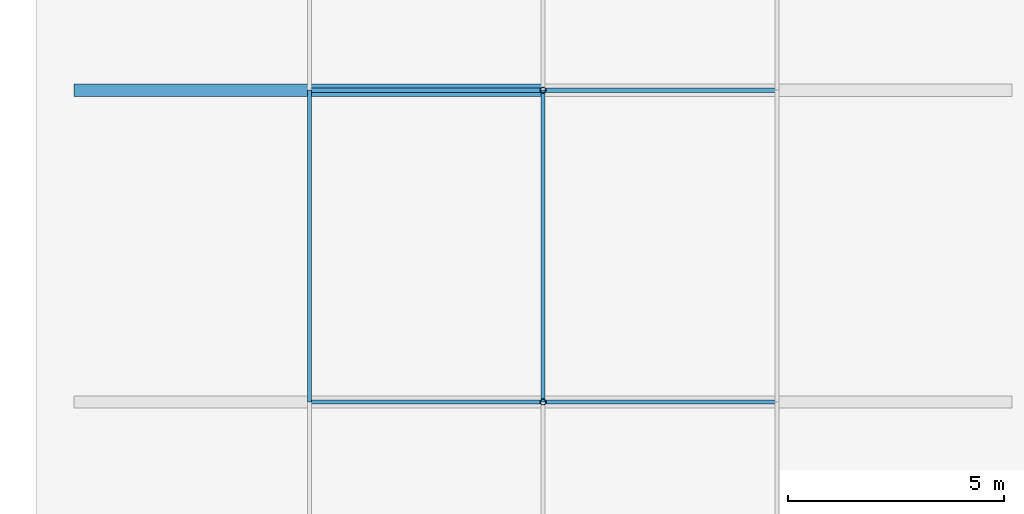
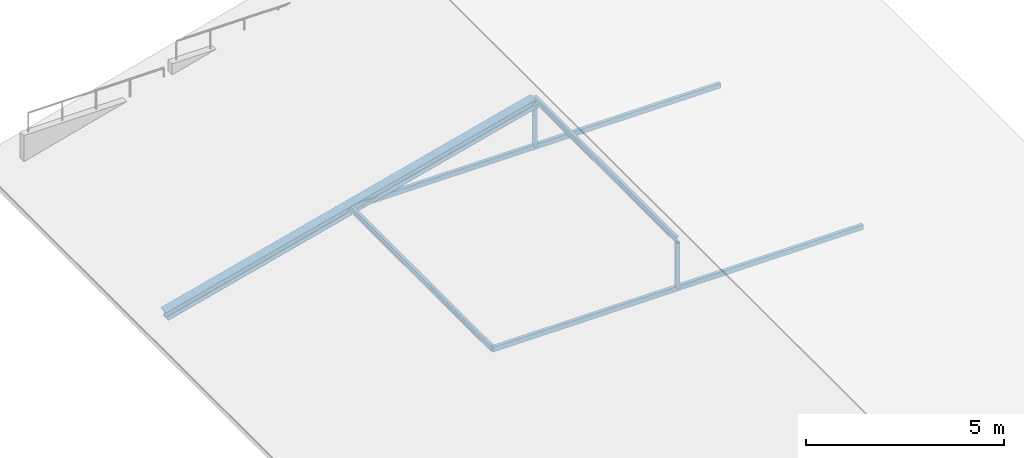
# One storey, part 16 of 65: 7 members.
"""IFC4 building model written with IfcOpenShell, lengths in metres."""

from ifc_helpers import new_model, si_unit, direction, frame, origin, origin_2d, place, context, subcontext, project, spatial, hollow_rectangle, hollow_circle, i_section, extrude, material, material_profile, profile_set, type_object, element, save


model = new_model("IFC4")

# Units and contexts
model_context = context("Model", 3, precision=1e-05, world=origin(), true_north=direction((0.0, 1.0)))
body_context = subcontext(model_context, "Body", "Model", "MODEL_VIEW")
ifc_project = project(units=[si_unit("LENGTHUNIT", "METRE"), si_unit("AREAUNIT", "SQUARE_METRE"), si_unit("VOLUMEUNIT", "CUBIC_METRE"), si_unit("PLANEANGLEUNIT", "RADIAN"), si_unit("MASSUNIT", "GRAM", prefix="KILO"), si_unit("THERMODYNAMICTEMPERATUREUNIT", "KELVIN"), si_unit("POWERUNIT", "WATT")], contexts=[model_context])

# Site, building, storey
site_placement = place(None, origin())
site = spatial("IfcSite", under=ifc_project, at=site_placement, CompositionType="ELEMENT")
building_placement = place(site_placement, origin())
building = spatial("IfcBuilding", under=site, at=building_placement, Name="Tavuni Mirador Residences", CompositionType="ELEMENT")
storey_placement = place(building_placement, frame((0.0, 0.0, 29.699951171875)))
storey = spatial("IfcBuildingStorey", under=building, at=storey_placement, Name="L09", CompositionType="ELEMENT", Elevation=29.699951171875)

# Members
ifc_material = material(Name="Structural steel S355", Category="steel")
ifc_material_profile_1 = material_profile(ifc_material, hollow_circle(Radius=0.06982421875, WallThickness=0.008056640625, at=origin_2d()), Name="CHS 139.7x8.0", Category="steel")
ifc_profile_set_1 = profile_set([ifc_material_profile_1], Name="Structural steel S355")
member_type_1 = type_object("IfcMemberType", Name="MT-BR-CHS139", PredefinedType="BRACE", material=ifc_profile_set_1)
for number, where, z_axis, x_axis, name in (
    (1, (14.39990234375, 79.199951171875, 1.050048828125), (0.0, 0.0, 1.0), (1.0, 0.0, 0.0), "RKP-BLK-B-02"),
    (2, (14.39990234375, 86.39990234375, 1.050048828125), (0.0, 0.0, 1.0), (1.0, 0.0, 0.0), "RKP-BLK-B-03"),
):
    element("IfcMember", number, at=place(storey_placement, frame(where, z_axis=z_axis, x_axis=x_axis)), inside=storey, type_object=member_type_1, Name=name, PredefinedType="BRACE", context=body_context, shape_type="SweptSolid", body=[
        extrude(hollow_circle(Radius=0.06982421875, WallThickness=0.008056640625, at=origin_2d()), origin(), (0.0, 0.0, 1.0), 1.39990234375),
    ])
ifc_material_profile_2 = material_profile(ifc_material, hollow_rectangle(XDim=0.10009765625, YDim=0.14990234375, WallThickness=0.008056640625, at=origin_2d()), Name="RHS 150x100x8.0", Category="steel")
ifc_profile_set_2 = profile_set([ifc_material_profile_2], Name="Structural steel S355")
member_type_2 = type_object("IfcMemberType", Name="MT-BR-RHS150", PredefinedType="BRACE", material=ifc_profile_set_2)
for number, where, z_axis, x_axis, name in (
    (3, (9.0, 79.199951171875, 1.050048828125), (1.0, 0.0, 0.0), (0.0, 1.0, 0.0), "RTIE-BLK-B-02"),
    (4, (9.0, 86.39990234375, 1.050048828125), (1.0, 0.0, 0.0), (0.0, 1.0, 0.0), "RTIE-BLK-B-03"),
):
    element("IfcMember", number, at=place(storey_placement, frame(where, z_axis=z_axis, x_axis=x_axis)), inside=storey, type_object=member_type_2, Name=name, PredefinedType="BRACE", context=body_context, shape_type="SweptSolid", body=[
        extrude(hollow_rectangle(XDim=0.10009765625, YDim=0.14990234375, WallThickness=0.008056640625, at=origin_2d()), origin(), (0.0, 0.0, 1.0), 10.800048828125),
    ])
ifc_material_profile_3 = material_profile(ifc_material, i_section(OverallWidth=0.280029296875, OverallDepth=0.27001953125, WebThickness=0.008056640625, FlangeThickness=0.012939453125, FilletRadius=0.02392578125, at=origin_2d()), Name="HEA 280", Category="steel")
ifc_profile_set_3 = profile_set([ifc_material_profile_3], Name="Structural steel S355")
member_type_3 = type_object("IfcMemberType", Name="MT-CH-HEA280", PredefinedType="CHORD", material=ifc_profile_set_3)
member_placement = place(storey_placement, frame((3.60009765625, 86.39990234375, -0.349853515625), z_axis=(0.968000048288, 0.0, 0.250950007997), x_axis=(0.0, 1.0, 0.0)))
element("IfcMember", 5, at=member_placement, inside=storey, type_object=member_type_3, Name="RAF-BLK-B-03-W", PredefinedType="CHORD", context=body_context, shape_type="SweptSolid", body=[
    extrude(i_section(OverallWidth=0.280029296875, OverallDepth=0.27001953125, WebThickness=0.008056640625, FlangeThickness=0.012939453125, FilletRadius=0.02392578125, at=origin_2d()), origin(), (0.0, 0.0, 1.0), 11.15673828125),
])
ifc_material_profile_4 = material_profile(ifc_material, i_section(OverallWidth=0.091064453125, OverallDepth=0.179931640625, WebThickness=0.00537109375, FlangeThickness=0.008056640625, FilletRadius=0.009033203125, at=origin_2d()), Name="IPE 180", Category="steel")
ifc_profile_set_4 = profile_set([ifc_material_profile_4], Name="Structural steel S355")
member_type_4 = type_object("IfcMemberType", Name="MT-PR-IPE180", PredefinedType="PURLIN", material=ifc_profile_set_4)
for number, where, z_axis, x_axis, name in (
    (6, (9.0, 79.199951171875, 1.074951171875), (0.0, 1.0, 0.0), (-1.0, 0.0, 0.0), "RPUR-BLK-B-25-02"),
    (7, (14.39990234375, 79.199951171875, 2.525146484375), (0.0, 1.0, 0.0), (-1.0, 0.0, 0.0), "RPUR-BLK-B-50-02"),
):
    element("IfcMember", number, at=place(storey_placement, frame(where, z_axis=z_axis, x_axis=x_axis)), inside=storey, type_object=member_type_4, Name=name, PredefinedType="PURLIN", context=body_context, shape_type="SweptSolid", body=[
        extrude(i_section(OverallWidth=0.091064453125, OverallDepth=0.179931640625, WebThickness=0.00537109375, FlangeThickness=0.008056640625, FilletRadius=0.009033203125, at=origin_2d()), origin(), (0.0, 0.0, 1.0), 7.199951171875),
    ])

save(model, "model.ifc")
